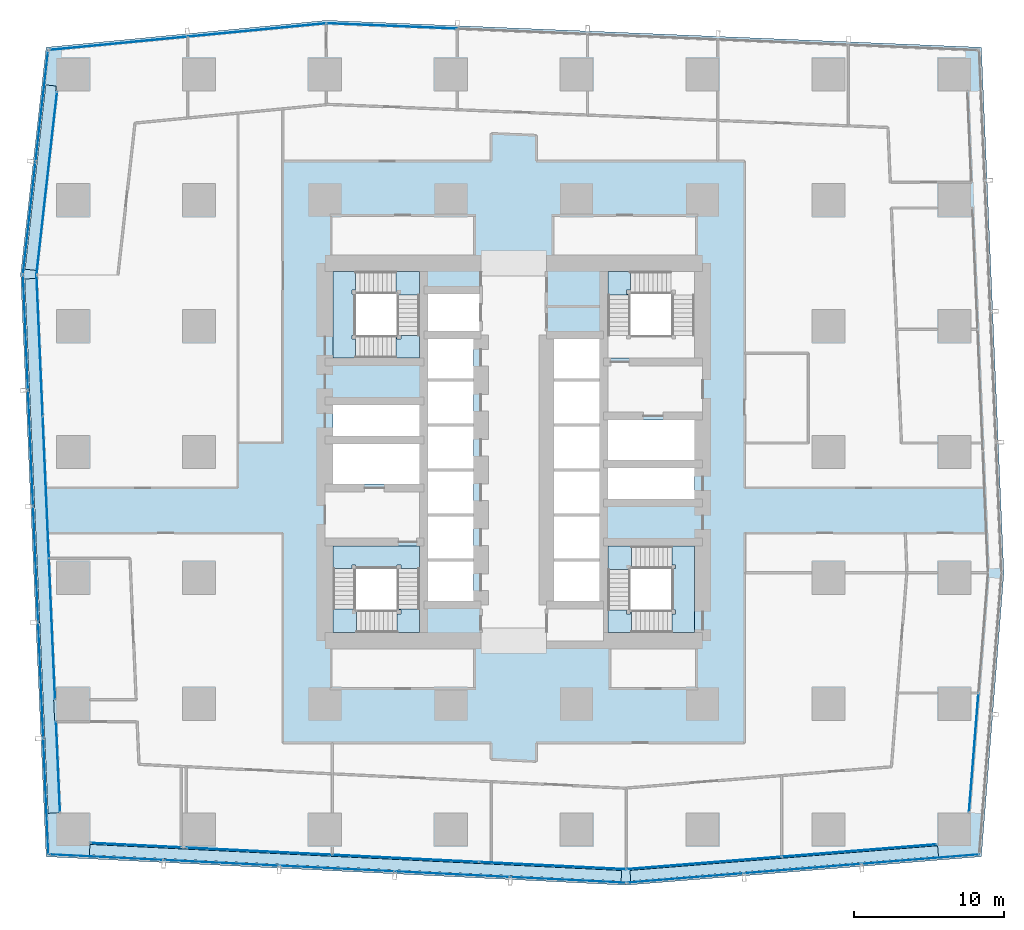
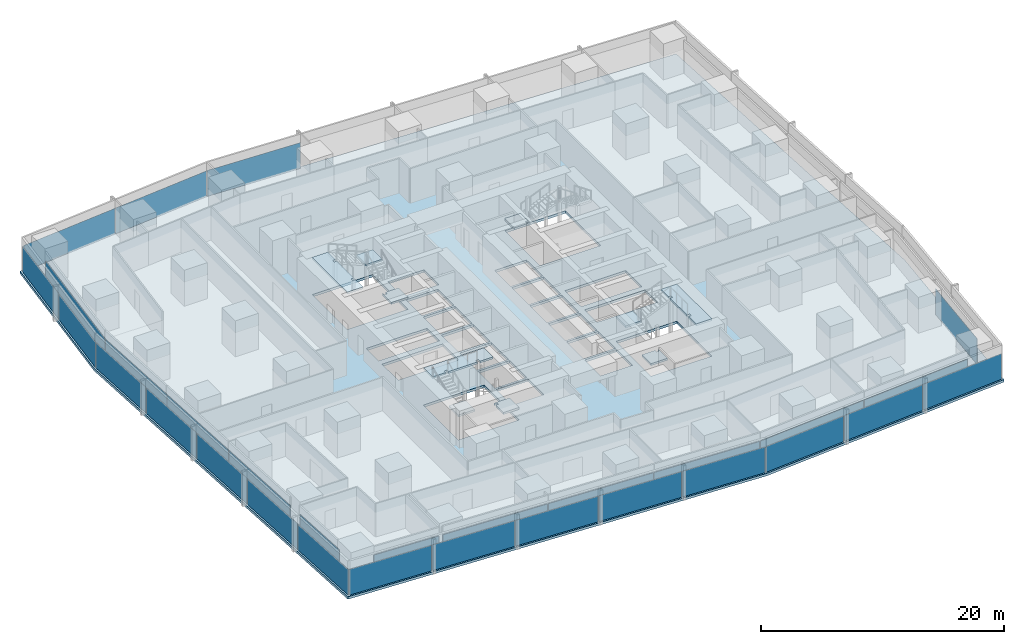
# One storey, part 30 of 44: 34 plates, 11 slabs, 17 elements without a shape of their own.
"""IFC4 building model written with IfcOpenShell, lengths in metres."""

import ifcopenshell
import ifcopenshell.guid

model = None  # the IFC model being written
_history = None  # IfcOwnerHistory: only IFC2X3 demands one
_inside = {}  # id of a spatial element -> (the spatial element, [elements in it])
_under = {}  # id of a project, library or spatial element -> (it, [spatial elements below it])
_declared = {}  # id of a project -> (the project, [libraries it declares])
_typed = {}  # id of a type object -> (the type object, [elements of that type])
_made_of = {}  # id of a material, layer set ... -> (it, [elements and type objects made of it])


def new_model(schema):
    """Start an empty IFC model of exactly this schema.

    Asked for "IFC4X3", IfcOpenShell would pick the latest addendum, in which some entities
    have other attributes; the version numbers below select the first issue.
    IFC2X3 requires an IfcOwnerHistory on every rooted entity: one is made here for all.
    """
    global model, _history
    if schema == "IFC4X3":
        model = ifcopenshell.file(schema_version=(4, 3, 0, 0))
    else:
        model = ifcopenshell.file(schema=schema)
    _inside.clear()
    _under.clear()
    _declared.clear()
    _typed.clear()
    _made_of.clear()
    _history = None
    if model.schema == "IFC2X3":
        org = make("IfcOrganization", Name="unknown")
        user = make(
            "IfcPersonAndOrganization",
            ThePerson=make("IfcPerson", FamilyName="unknown"),
            TheOrganization=org,
        )
        app = make(
            "IfcApplication",
            ApplicationDeveloper=org,
            Version="unknown",
            ApplicationFullName="unknown",
            ApplicationIdentifier="unknown",
        )
        _history = make(
            "IfcOwnerHistory",
            OwningUser=user,
            OwningApplication=app,
            ChangeAction="ADDED",
            CreationDate=0,
        )
    return model


def make(cls, **values):
    """One entity of the class cls with the attributes given. An attribute that is None is left unset."""
    return model.create_entity(
        cls, **{name: value for name, value in values.items() if value is not None}
    )


def rooted(cls, **values):
    """An entity with a GlobalId (a new one), such as an element, a storey or a relation."""
    return make(cls, GlobalId=ifcopenshell.guid.new(), OwnerHistory=_history, **values)


def si_unit(unit_type, name, prefix=None):
    """IfcSIUnit, for example si_unit("LENGTHUNIT", "METRE", prefix="MILLI")."""
    return make("IfcSIUnit", UnitType=unit_type, Prefix=prefix, Name=name)


def assignment(units):
    """IfcUnitAssignment: the units of a project."""
    return None if units is None else make("IfcUnitAssignment", Units=units)


def point(xyz):
    """IfcCartesianPoint."""
    return None if xyz is None else make("IfcCartesianPoint", Coordinates=xyz)


def direction(xyz):
    """IfcDirection."""
    return None if xyz is None else make("IfcDirection", DirectionRatios=xyz)


def frame(location, z_axis=None, x_axis=None):
    """IfcAxis2Placement3D, a coordinate frame: its origin and axes. An axis left out is left unset."""
    return make(
        "IfcAxis2Placement3D",
        Location=point(location),
        Axis=direction(z_axis),
        RefDirection=direction(x_axis),
    )


def frame_2d(location, x_axis=None):
    """IfcAxis2Placement2D, a coordinate frame in the plane: its origin and x axis."""
    return make(
        "IfcAxis2Placement2D", Location=point(location), RefDirection=direction(x_axis)
    )


def origin():
    """The frame at (0, 0, 0) with its axes left unset."""
    return frame((0.0, 0.0, 0.0))


def origin_2d():
    """The frame at (0, 0) in the plane with its x axis left unset."""
    return frame_2d((0.0, 0.0))


def place(relative_to, where):
    """IfcLocalPlacement: puts the frame where relative to a parent placement (None: the world)."""
    return make(
        "IfcLocalPlacement", PlacementRelTo=relative_to, RelativePlacement=where
    )


def context(
    kind, dimensions, precision=None, world=None, true_north=None, identifier=None
):
    """IfcGeometricRepresentationContext, for example the 3D "Model" context."""
    return make(
        "IfcGeometricRepresentationContext",
        ContextIdentifier=identifier,
        ContextType=kind,
        CoordinateSpaceDimension=dimensions,
        Precision=precision,
        WorldCoordinateSystem=world,
        TrueNorth=true_north,
    )


def subcontext(parent, identifier, kind, view, scale=None):
    """IfcGeometricRepresentationSubContext, for example "Body" below "Model"."""
    return make(
        "IfcGeometricRepresentationSubContext",
        ContextIdentifier=identifier,
        ContextType=kind,
        ParentContext=parent,
        TargetScale=scale,
        TargetView=view,
    )


def project(units=None, contexts=None):
    """IfcProject with its units and contexts."""
    return rooted(
        "IfcProject",
        Name="project",
        RepresentationContexts=contexts,
        UnitsInContext=assignment(units),
    )


def spatial(cls, under=None, at=None, **own):
    """A site, building, storey or space (cls), placed at a placement, below another one or the project."""
    s = rooted(cls, ObjectPlacement=at, **own)
    if under is not None:
        _under.setdefault(under.id(), (under, []))[1].append(s)
    return s


def polyline(points):
    """IfcPolyline through the points."""
    return make("IfcPolyline", Points=[point(p) for p in points])


def profile(cls, at=None, kind="AREA", **sizes):
    """A parametric profile (cls). Its sizes go by their IFC names, for example OverallWidth=200.0."""
    return make(cls, ProfileType=kind, Position=at, **sizes)


def rectangle(**sizes):
    """IfcRectangleProfileDef."""
    return profile("IfcRectangleProfileDef", **sizes)


def outline(outer, holes=None, kind="AREA"):
    """IfcArbitraryClosedProfileDef: a profile drawn as a closed curve; with holes, ...WithVoids."""
    if holes is None:
        return make("IfcArbitraryClosedProfileDef", ProfileType=kind, OuterCurve=outer)
    return make(
        "IfcArbitraryProfileDefWithVoids",
        ProfileType=kind,
        OuterCurve=outer,
        InnerCurves=holes,
    )


def extrude(swept, where, along, depth):
    """IfcExtrudedAreaSolid: the profile swept, set in the frame where, extruded along a direction by depth."""
    return make(
        "IfcExtrudedAreaSolid",
        SweptArea=swept,
        Position=where,
        ExtrudedDirection=direction(along),
        Depth=depth,
    )


def shape(context_of_items, identifier, shape_type, items):
    """IfcShapeRepresentation: the items that make up one representation, for example the "Body"."""
    return make(
        "IfcShapeRepresentation",
        ContextOfItems=context_of_items,
        RepresentationIdentifier=identifier,
        RepresentationType=shape_type,
        Items=items,
    )


def material(Name=None, Category=None):
    """IfcMaterial."""
    return make("IfcMaterial", Name=Name, Category=Category)


def layer(
    of_material, thickness, ventilated=None, Name=None, Category=None, Priority=None
):
    """IfcMaterialLayer: one layer of a wall or slab, of a material (None: an air gap)."""
    return make(
        "IfcMaterialLayer",
        Material=of_material,
        LayerThickness=thickness,
        IsVentilated=ventilated,
        Name=Name,
        Category=Category,
        Priority=Priority,
    )


def layer_set(layers, Name=None):
    """IfcMaterialLayerSet."""
    return make("IfcMaterialLayerSet", MaterialLayers=layers, LayerSetName=Name)


def made_of(thing, what):
    """Note that an element or type object is made of a material, layer set ...; save() writes the relation."""
    if what is not None:
        _made_of.setdefault(what.id(), (what, []))[1].append(thing)
    return thing


def type_object(cls, material=None, **own):
    """A type object (cls), such as IfcWallType, which elements share."""
    return made_of(rooted(cls, **own), material)


def element(
    cls,
    number,
    at=None,
    inside=None,
    cuts=None,
    type_object=None,
    material=None,
    context=None,
    identifier="Body",
    shape_type=None,
    held_by="IfcProductDefinitionShape",
    body=None,
    shapes=None,
    **own,
):
    """One element of the class cls, such as IfcWall. Its Tag is "e" and its number.

    at: its placement. inside: the storey or other place that contains it. cuts: it is an
    opening in that element (IfcRelVoidsElement). A single representation is given by context,
    identifier, shape_type and body (its items); several are given by shapes. held_by: the class
    of the entity that holds the representations. save() writes the other relations.
    """
    e = rooted(cls, Tag="e%d" % number, ObjectPlacement=at, **own)
    if body is not None:
        shapes = [shape(context, identifier, shape_type, body)]
    if shapes is not None:
        e.Representation = make(held_by, Representations=shapes)
    if inside is not None:
        _inside.setdefault(inside.id(), (inside, []))[1].append(e)
    if cuts is not None:
        rooted(
            "IfcRelVoidsElement", RelatingBuildingElement=cuts, RelatedOpeningElement=e
        )
    if type_object is not None:
        _typed.setdefault(type_object.id(), (type_object, []))[1].append(e)
    return made_of(e, material)


def aggregate(whole, parts):
    """IfcRelAggregates: a whole, such as a stair, and the parts it consists of."""
    return rooted("IfcRelAggregates", RelatingObject=whole, RelatedObjects=parts)


def save(model, path):
    """Write the relations noted so far, then the file.

    IfcRelAggregates (storeys below a building ...), IfcRelContainedInSpatialStructure (elements
    in a storey), IfcRelDefinesByType, IfcRelAssociatesMaterial and IfcRelDeclares: one each for
    every whole, place, type object, material and project.
    """
    for whole, parts in _under.values():
        aggregate(whole, parts)
    for where, things in _inside.values():
        rooted(
            "IfcRelContainedInSpatialStructure",
            RelatedElements=things,
            RelatingStructure=where,
        )
    for kind, things in _typed.values():
        rooted("IfcRelDefinesByType", RelatedObjects=things, RelatingType=kind)
    for what, things in _made_of.values():
        rooted("IfcRelAssociatesMaterial", RelatedObjects=things, RelatingMaterial=what)
    for by, libraries in _declared.values():
        rooted("IfcRelDeclares", RelatingContext=by, RelatedDefinitions=libraries)
    model.write(path)


model = new_model("IFC4")

# Units and contexts
model_context = context("Model", 3, precision=1e-05, world=origin(), true_north=direction((0.0, 1.0)))
body_context = subcontext(model_context, "Body", "Model", "MODEL_VIEW")
ifc_project = project(units=[si_unit("LENGTHUNIT", "METRE"), si_unit("AREAUNIT", "SQUARE_METRE"), si_unit("VOLUMEUNIT", "CUBIC_METRE"), si_unit("PLANEANGLEUNIT", "RADIAN"), si_unit("MASSUNIT", "GRAM", prefix="KILO")], contexts=[model_context])

# Site, building, storey
site_placement = place(None, origin())
site = spatial("IfcSite", under=ifc_project, at=site_placement, CompositionType="ELEMENT")
building_placement = place(site_placement, origin())
building = spatial("IfcBuilding", under=site, at=building_placement, Name="Rekha Terrace Tower", CompositionType="ELEMENT")
storey_placement = place(building_placement, frame((0.0, 0.0, 74.14990234375)))
storey = spatial("IfcBuildingStorey", under=building, at=storey_placement, Name="L18", CompositionType="ELEMENT", Elevation=74.14990234375)

# Curtain wall, plate
ifc_material_1 = material(Name="Aluminium framing", Category="aluminium")
curtain_wall_type_1 = type_object("IfcCurtainWallType", Name="CW1 double skin inner glazing", PredefinedType="USERDEFINED", material=ifc_material_1)
curtain_wall_1_placement = place(storey_placement, origin())
curtain_wall_1 = element("IfcCurtainWall", 1, at=curtain_wall_1_placement, inside=storey, type_object=curtain_wall_type_1, Name="CW1 double skin inner glazing", ObjectType="DOUBLE SKIN INNER GLAZING", PredefinedType="USERDEFINED")
ifc_material_2 = material(Name="Double-glazed low-e unit 32", Category="glass")
ifc_layer_1 = layer(ifc_material_2, 0.031982421875)
ifc_layer_set_1 = layer_set([ifc_layer_1], Name="Double-glazed low-e unit 32")
plate_type_1 = type_object("IfcPlateType", Name="CW1 jumbo vision panel, double-glazed low-e unit 32", PredefinedType="CURTAIN_PANEL", material=ifc_layer_set_1)
plate_1_placement = place(storey_placement, frame((12.60009765625, 7.36669921875, 0.0), z_axis=(0.0, 0.0, 1.0), x_axis=(0.998796239977, -0.049051717693, 0.0)))
plate_1 = element("IfcPlate", 2, at=plate_1_placement, type_object=plate_type_1, Name="CW1 panel 1.1", PredefinedType="CURTAIN_PANEL", context=body_context, shape_type="SweptSolid", body=[
    extrude(rectangle(XDim=6.028076171875, YDim=0.031982421875, at=origin_2d()), origin(), (0.0, 0.0, 1.0), 2.60009765625),
])
aggregate(curtain_wall_1, [plate_1])

# Curtain wall, plates
curtain_wall_2_placement = place(storey_placement, origin())
curtain_wall_2 = element("IfcCurtainWall", 3, at=curtain_wall_2_placement, inside=storey, type_object=curtain_wall_type_1, Name="CW1 double skin inner glazing", ObjectType="DOUBLE SKIN INNER GLAZING", PredefinedType="USERDEFINED")
plate_2_placement = place(storey_placement, frame((20.818603515625, 6.962890625, 0.0), z_axis=(0.0, 0.0, 1.0), x_axis=(0.998796239974, -0.049051717746, 0.0)))
plate_2 = element("IfcPlate", 4, at=plate_2_placement, type_object=plate_type_1, Name="CW1 panel 1.1", PredefinedType="CURTAIN_PANEL", context=body_context, shape_type="SweptSolid", body=[
    extrude(rectangle(XDim=9.701904296875, YDim=0.031982421875, at=origin_2d()), origin(), (0.0, 0.0, 1.0), 2.60009765625),
])
plate_3_placement = place(storey_placement, frame((30.590087890625, 6.483154296875, 0.0), z_axis=(0.0, 0.0, 1.0), x_axis=(0.998796239974, -0.049051717746, 0.0)))
plate_3 = element("IfcPlate", 5, at=plate_3_placement, type_object=plate_type_1, Name="CW1 panel 2.1", PredefinedType="CURTAIN_PANEL", context=body_context, shape_type="SweptSolid", body=[
    extrude(rectangle(XDim=9.734619140625, YDim=0.031982421875, at=origin_2d()), origin(), (0.0, 0.0, 1.0), 2.60009765625),
])
plate_4_placement = place(storey_placement, frame((40.39404296875, 6.001708984375, 0.0), z_axis=(0.0, 0.0, 1.0), x_axis=(0.998796239974, -0.049051717746, 0.0)))
plate_4 = element("IfcPlate", 6, at=plate_4_placement, type_object=plate_type_1, Name="CW1 panel 3.1", PredefinedType="CURTAIN_PANEL", context=body_context, shape_type="SweptSolid", body=[
    extrude(rectangle(XDim=9.76708984375, YDim=0.031982421875, at=origin_2d()), origin(), (0.0, 0.0, 1.0), 2.60009765625),
])
aggregate(curtain_wall_2, [plate_2, plate_3, plate_4])

curtain_wall_3_placement = place(storey_placement, origin())
curtain_wall_3 = element("IfcCurtainWall", 7, at=curtain_wall_3_placement, inside=storey, type_object=curtain_wall_type_1, Name="CW1 double skin inner glazing", ObjectType="DOUBLE SKIN INNER GLAZING", PredefinedType="USERDEFINED")
plate_5_placement = place(storey_placement, frame((50.488037109375, 6.18017578125, 0.0), z_axis=(0.0, 0.0, 1.0), x_axis=(0.996805111821, 0.079872204468, 0.0)))
plate_5 = element("IfcPlate", 8, at=plate_5_placement, type_object=plate_type_1, Name="CW1 panel 1.1", PredefinedType="CURTAIN_PANEL", context=body_context, shape_type="SweptSolid", body=[
    extrude(rectangle(XDim=10.336181640625, YDim=0.031982421875, at=origin_2d()), origin(), (0.0, 0.0, 1.0), 2.60009765625),
])
plate_6_placement = place(storey_placement, frame((60.85595703125, 7.0107421875, 0.0), z_axis=(0.0, 0.0, 1.0), x_axis=(0.996805111821, 0.079872204468, 0.0)))
plate_6 = element("IfcPlate", 9, at=plate_6_placement, type_object=plate_type_1, Name="CW1 panel 2.1", PredefinedType="CURTAIN_PANEL", context=body_context, shape_type="SweptSolid", body=[
    extrude(rectangle(XDim=10.336181640625, YDim=0.031982421875, at=origin_2d()), origin(), (0.0, 0.0, 1.0), 2.60009765625),
])
aggregate(curtain_wall_3, [plate_5, plate_6])

# Curtain wall, plate
curtain_wall_4_placement = place(storey_placement, origin())
curtain_wall_4 = element("IfcCurtainWall", 10, at=curtain_wall_4_placement, inside=storey, type_object=curtain_wall_type_1, Name="CW1 double skin inner glazing", ObjectType="DOUBLE SKIN INNER GLAZING", PredefinedType="USERDEFINED")
plate_7_placement = place(storey_placement, frame((68.487548828125, 13.541748046875, 0.0), z_axis=(0.0, 0.0, 1.0), x_axis=(0.079116301, 0.996865392576, 0.0)))
plate_7 = element("IfcPlate", 11, at=plate_7_placement, type_object=plate_type_1, Name="CW1 panel 1.1", PredefinedType="CURTAIN_PANEL", context=body_context, shape_type="SweptSolid", body=[
    extrude(rectangle(XDim=7.923583984375, YDim=0.031982421875, at=origin_2d()), origin(), (0.0, 0.0, 1.0), 2.60009765625),
])
aggregate(curtain_wall_4, [plate_7])

curtain_wall_5_placement = place(storey_placement, origin())
curtain_wall_5 = element("IfcCurtainWall", 12, at=curtain_wall_5_placement, inside=storey, type_object=curtain_wall_type_1, Name="CW1 double skin inner glazing", ObjectType="DOUBLE SKIN INNER GLAZING", PredefinedType="USERDEFINED")
plate_8_placement = place(storey_placement, frame((6.646728515625, 51.52734375, 0.0), z_axis=(0.0, 0.0, 1.0), x_axis=(-0.111729870748, -0.993738615524, 0.0)))
plate_8 = element("IfcPlate", 13, at=plate_8_placement, type_object=plate_type_1, Name="CW1 panel 1.1", PredefinedType="CURTAIN_PANEL", context=body_context, shape_type="SweptSolid", body=[
    extrude(rectangle(XDim=12.243896484375, YDim=0.031982421875, at=origin_2d()), origin(), (0.0, 0.0, 1.0), 2.60009765625),
])
aggregate(curtain_wall_5, [plate_8])

# Curtain wall, plates
curtain_wall_6_placement = place(storey_placement, origin())
curtain_wall_6 = element("IfcCurtainWall", 14, at=curtain_wall_6_placement, inside=storey, type_object=curtain_wall_type_1, Name="CW1 double skin inner glazing", ObjectType="DOUBLE SKIN INNER GLAZING", PredefinedType="USERDEFINED")
plate_9_placement = place(storey_placement, frame((6.170166015625, 40.69482421875, 0.0), z_axis=(0.0, 0.0, 1.0), x_axis=(0.043682543337, -0.999045462133, 0.0)))
plate_9 = element("IfcPlate", 15, at=plate_9_placement, type_object=plate_type_1, Name="CW1 panel 1.1", PredefinedType="CURTAIN_PANEL", context=body_context, shape_type="SweptSolid", body=[
    extrude(rectangle(XDim=9.376953125, YDim=0.031982421875, at=origin_2d()), origin(), (0.0, 0.0, 1.0), 2.60009765625),
])
plate_10_placement = place(storey_placement, frame((6.58349609375, 31.245361328125, 0.0), z_axis=(0.0, 0.0, 1.0), x_axis=(0.043682543337, -0.999045462133, 0.0)))
plate_10 = element("IfcPlate", 16, at=plate_10_placement, type_object=plate_type_1, Name="CW1 panel 2.1", PredefinedType="CURTAIN_PANEL", context=body_context, shape_type="SweptSolid", body=[
    extrude(rectangle(XDim=9.40966796875, YDim=0.031982421875, at=origin_2d()), origin(), (0.0, 0.0, 1.0), 2.60009765625),
])
plate_11_placement = place(storey_placement, frame((6.99658203125, 21.796142578125, 0.0), z_axis=(0.0, 0.0, 1.0), x_axis=(0.043682543337, -0.999045462133, 0.0)))
plate_11 = element("IfcPlate", 17, at=plate_11_placement, type_object=plate_type_1, Name="CW1 panel 3.1", PredefinedType="CURTAIN_PANEL", context=body_context, shape_type="SweptSolid", body=[
    extrude(rectangle(XDim=9.376953125, YDim=0.031982421875, at=origin_2d()), origin(), (0.0, 0.0, 1.0), 2.60009765625),
])
aggregate(curtain_wall_6, [plate_9, plate_10, plate_11])

# Curtain wall, plate
curtain_wall_7_placement = place(storey_placement, origin())
curtain_wall_7 = element("IfcCurtainWall", 18, at=curtain_wall_7_placement, inside=storey, type_object=curtain_wall_type_1, Name="CW1 double skin inner glazing", ObjectType="DOUBLE SKIN INNER GLAZING", PredefinedType="USERDEFINED")
plate_12_placement = place(storey_placement, frame((7.398681640625, 12.60009765625, 0.0), z_axis=(0.0, 0.0, 1.0), x_axis=(0.043682543424, -0.999045462129, 0.0)))
plate_12 = element("IfcPlate", 19, at=plate_12_placement, type_object=plate_type_1, Name="CW1 panel 1.1", PredefinedType="CURTAIN_PANEL", context=body_context, shape_type="SweptSolid", body=[
    extrude(rectangle(XDim=6.027587890625, YDim=0.031982421875, at=origin_2d()), origin(), (0.0, 0.0, 1.0), 2.60009765625),
])
aggregate(curtain_wall_7, [plate_12])

# Curtain wall, plates
curtain_wall_type_2 = type_object("IfcCurtainWallType", Name="CW2 double skin outer glazing", PredefinedType="USERDEFINED", material=ifc_material_1)
curtain_wall_8_placement = place(storey_placement, origin())
curtain_wall_8 = element("IfcCurtainWall", 20, at=curtain_wall_8_placement, inside=storey, type_object=curtain_wall_type_2, Name="CW2 double skin outer glazing", ObjectType="DOUBLE SKIN OUTER GLAZING", PredefinedType="USERDEFINED")
ifc_material_3 = material(Name="Toughened single glazing 12", Category="glass")
ifc_layer_2 = layer(ifc_material_3, 0.011962890625)
ifc_layer_set_2 = layer_set([ifc_layer_2], Name="Toughened single glazing 12")
plate_type_2 = type_object("IfcPlateType", Name="CW2 jumbo vision panel, toughened single glazing 12", PredefinedType="CURTAIN_PANEL", material=ifc_layer_set_2)
plate_13_placement = place(storey_placement, frame((10.626708984375, 6.5625, 0.0), z_axis=(0.0, 0.0, 1.0), x_axis=(0.998796239974, -0.049051717746, 0.0)))
plate_13 = element("IfcPlate", 21, at=plate_13_placement, type_object=plate_type_2, Name="CW2 panel 1.1", PredefinedType="CURTAIN_PANEL", context=body_context, shape_type="SweptSolid", body=[
    extrude(rectangle(XDim=7.595703125, YDim=0.011962890625, at=origin_2d()), origin(), (0.0, 0.0, 1.0), 2.60009765625),
])
plate_14_placement = place(storey_placement, frame((18.31298828125, 6.18505859375, 0.0), z_axis=(0.0, 0.0, 1.0), x_axis=(0.998796239974, -0.049051717746, 0.0)))
plate_14 = element("IfcPlate", 22, at=plate_14_placement, type_object=plate_type_2, Name="CW2 panel 2.1", PredefinedType="CURTAIN_PANEL", context=body_context, shape_type="SweptSolid", body=[
    extrude(rectangle(XDim=7.6357421875, YDim=0.011962890625, at=origin_2d()), origin(), (0.0, 0.0, 1.0), 2.60009765625),
])
plate_15_placement = place(storey_placement, frame((26.01953125, 5.806396484375, 0.0), z_axis=(0.0, 0.0, 1.0), x_axis=(0.998796239974, -0.049051717746, 0.0)))
plate_15 = element("IfcPlate", 23, at=plate_15_placement, type_object=plate_type_2, Name="CW2 panel 3.1", PredefinedType="CURTAIN_PANEL", context=body_context, shape_type="SweptSolid", body=[
    extrude(rectangle(XDim=7.6357421875, YDim=0.011962890625, at=origin_2d()), origin(), (0.0, 0.0, 1.0), 2.60009765625),
])
plate_16_placement = place(storey_placement, frame((33.725830078125, 5.427978515625, 0.0), z_axis=(0.0, 0.0, 1.0), x_axis=(0.998796239974, -0.049051717746, 0.0)))
plate_16 = element("IfcPlate", 24, at=plate_16_placement, type_object=plate_type_2, Name="CW2 panel 4.1", PredefinedType="CURTAIN_PANEL", context=body_context, shape_type="SweptSolid", body=[
    extrude(rectangle(XDim=7.6357421875, YDim=0.011962890625, at=origin_2d()), origin(), (0.0, 0.0, 1.0), 2.60009765625),
])
plate_17_placement = place(storey_placement, frame((41.452392578125, 5.048583984375, 0.0), z_axis=(0.0, 0.0, 1.0), x_axis=(0.998796239974, -0.049051717746, 0.0)))
plate_17 = element("IfcPlate", 25, at=plate_17_placement, type_object=plate_type_2, Name="CW2 panel 5.1", PredefinedType="CURTAIN_PANEL", context=body_context, shape_type="SweptSolid", body=[
    extrude(rectangle(XDim=7.67578125, YDim=0.011962890625, at=origin_2d()), origin(), (0.0, 0.0, 1.0), 2.60009765625),
])
aggregate(curtain_wall_8, [plate_13, plate_14, plate_15, plate_16, plate_17])

curtain_wall_9_placement = place(storey_placement, origin())
curtain_wall_9 = element("IfcCurtainWall", 26, at=curtain_wall_9_placement, inside=storey, type_object=curtain_wall_type_2, Name="CW2 double skin outer glazing", ObjectType="DOUBLE SKIN OUTER GLAZING", PredefinedType="USERDEFINED")
plate_18_placement = place(storey_placement, frame((49.233154296875, 5.176513671875, 0.0), z_axis=(0.0, 0.0, 1.0), x_axis=(0.996805111821, 0.079872204468, 0.0)))
plate_18 = element("IfcPlate", 27, at=plate_18_placement, type_object=plate_type_2, Name="CW2 panel 1.1", PredefinedType="CURTAIN_PANEL", context=body_context, shape_type="SweptSolid", body=[
    extrude(rectangle(XDim=7.760498046875, YDim=0.011962890625, at=origin_2d()), origin(), (0.0, 0.0, 1.0), 2.60009765625),
])
plate_19_placement = place(storey_placement, frame((57.068359375, 5.804443359375, 0.0), z_axis=(0.0, 0.0, 1.0), x_axis=(0.996805111821, 0.079872204468, 0.0)))
plate_19 = element("IfcPlate", 28, at=plate_19_placement, type_object=plate_type_2, Name="CW2 panel 2.1", PredefinedType="CURTAIN_PANEL", context=body_context, shape_type="SweptSolid", body=[
    extrude(rectangle(XDim=7.800537109375, YDim=0.011962890625, at=origin_2d()), origin(), (0.0, 0.0, 1.0), 2.60009765625),
])
plate_20_placement = place(storey_placement, frame((64.943603515625, 6.435546875, 0.0), z_axis=(0.0, 0.0, 1.0), x_axis=(0.996805111821, 0.079872204468, 0.0)))
plate_20 = element("IfcPlate", 29, at=plate_20_placement, type_object=plate_type_2, Name="CW2 panel 3.1", PredefinedType="CURTAIN_PANEL", context=body_context, shape_type="SweptSolid", body=[
    extrude(rectangle(XDim=7.84033203125, YDim=0.011962890625, at=origin_2d()), origin(), (0.0, 0.0, 1.0), 2.60009765625),
])
aggregate(curtain_wall_9, [plate_18, plate_19, plate_20])

curtain_wall_10_placement = place(storey_placement, origin())
curtain_wall_10 = element("IfcCurtainWall", 30, at=curtain_wall_10_placement, inside=storey, type_object=curtain_wall_type_2, Name="CW2 double skin outer glazing", ObjectType="DOUBLE SKIN OUTER GLAZING", PredefinedType="USERDEFINED")
plate_21_placement = place(storey_placement, frame((6.3212890625, 56.688720703125, 0.0), z_axis=(0.0, 0.0, 1.0), x_axis=(-0.111729870782, -0.99373861552, 0.0)))
plate_21 = element("IfcPlate", 31, at=plate_21_placement, type_object=plate_type_2, Name="CW2 panel 1.1", PredefinedType="CURTAIN_PANEL", context=body_context, shape_type="SweptSolid", body=[
    extrude(rectangle(XDim=7.41650390625, YDim=0.011962890625, at=origin_2d()), origin(), (0.0, 0.0, 1.0), 2.60009765625),
])
plate_22_placement = place(storey_placement, frame((5.479248046875, 49.19921875, 0.0), z_axis=(0.0, 0.0, 1.0), x_axis=(-0.111729870782, -0.99373861552, 0.0)))
plate_22 = element("IfcPlate", 32, at=plate_22_placement, type_object=plate_type_2, Name="CW2 panel 2.1", PredefinedType="CURTAIN_PANEL", context=body_context, shape_type="SweptSolid", body=[
    extrude(rectangle(XDim=7.49658203125, YDim=0.011962890625, at=origin_2d()), origin(), (0.0, 0.0, 1.0), 2.60009765625),
])
aggregate(curtain_wall_10, [plate_21, plate_22])

curtain_wall_11_placement = place(storey_placement, origin())
curtain_wall_11 = element("IfcCurtainWall", 33, at=curtain_wall_11_placement, inside=storey, type_object=curtain_wall_type_2, Name="CW2 double skin outer glazing", ObjectType="DOUBLE SKIN OUTER GLAZING", PredefinedType="USERDEFINED")
plate_23_placement = place(storey_placement, frame((5.23046875, 41.582275390625, 0.0), z_axis=(0.0, 0.0, 1.0), x_axis=(0.043682543372, -0.999045462131, 0.0)))
plate_23 = element("IfcPlate", 34, at=plate_23_placement, type_object=plate_type_2, Name="CW2 panel 1.1", PredefinedType="CURTAIN_PANEL", context=body_context, shape_type="SweptSolid", body=[
    extrude(rectangle(XDim=7.6318359375, YDim=0.011962890625, at=origin_2d()), origin(), (0.0, 0.0, 1.0), 2.60009765625),
])
plate_24_placement = place(storey_placement, frame((5.568359375, 33.85791015625, 0.0), z_axis=(0.0, 0.0, 1.0), x_axis=(0.043682543372, -0.999045462131, 0.0)))
plate_24 = element("IfcPlate", 35, at=plate_24_placement, type_object=plate_type_2, Name="CW2 panel 2.1", PredefinedType="CURTAIN_PANEL", context=body_context, shape_type="SweptSolid", body=[
    extrude(rectangle(XDim=7.671875, YDim=0.011962890625, at=origin_2d()), origin(), (0.0, 0.0, 1.0), 2.60009765625),
])
plate_25_placement = place(storey_placement, frame((5.906982421875, 26.113525390625, 0.0), z_axis=(0.0, 0.0, 1.0), x_axis=(0.043682543372, -0.999045462131, 0.0)))
plate_25 = element("IfcPlate", 36, at=plate_25_placement, type_object=plate_type_2, Name="CW2 panel 3.1", PredefinedType="CURTAIN_PANEL", context=body_context, shape_type="SweptSolid", body=[
    extrude(rectangle(XDim=7.671875, YDim=0.011962890625, at=origin_2d()), origin(), (0.0, 0.0, 1.0), 2.60009765625),
])
plate_26_placement = place(storey_placement, frame((6.24560546875, 18.369140625, 0.0), z_axis=(0.0, 0.0, 1.0), x_axis=(0.043682543372, -0.999045462131, 0.0)))
plate_26 = element("IfcPlate", 37, at=plate_26_placement, type_object=plate_type_2, Name="CW2 panel 4.1", PredefinedType="CURTAIN_PANEL", context=body_context, shape_type="SweptSolid", body=[
    extrude(rectangle(XDim=7.671875, YDim=0.011962890625, at=origin_2d()), origin(), (0.0, 0.0, 1.0), 2.60009765625),
])
plate_27_placement = place(storey_placement, frame((6.5849609375, 10.60498046875, 0.0), z_axis=(0.0, 0.0, 1.0), x_axis=(0.043682543372, -0.999045462131, 0.0)))
plate_27 = element("IfcPlate", 38, at=plate_27_placement, type_object=plate_type_2, Name="CW2 panel 5.1", PredefinedType="CURTAIN_PANEL", context=body_context, shape_type="SweptSolid", body=[
    extrude(rectangle(XDim=7.711669921875, YDim=0.011962890625, at=origin_2d()), origin(), (0.0, 0.0, 1.0), 2.60009765625),
])
aggregate(curtain_wall_11, [plate_23, plate_24, plate_25, plate_26, plate_27])

# Curtain wall, plate
curtain_wall_type_3 = type_object("IfcCurtainWallType", Name="CW3 north unitised glazing", PredefinedType="USERDEFINED", material=ifc_material_1)
curtain_wall_12_placement = place(storey_placement, origin())
curtain_wall_12 = element("IfcCurtainWall", 39, at=curtain_wall_12_placement, inside=storey, type_object=curtain_wall_type_3, Name="CW3 unitised curtain wall", ObjectType="UNITISED CURTAIN WALL", PredefinedType="USERDEFINED")
ifc_material_4 = material(Name="Double-glazed unit 28", Category="glass")
ifc_layer_3 = layer(ifc_material_4, 0.028076171875)
ifc_layer_set_3 = layer_set([ifc_layer_3], Name="Double-glazed unit 28")
plate_type_3 = type_object("IfcPlateType", Name="CW3 jumbo vision panel, double-glazed unit 28", PredefinedType="CURTAIN_PANEL", material=ifc_layer_set_3)
plate_28_placement = place(storey_placement, frame((29.65625, 62.021240234375, 0.0), z_axis=(0.0, 0.0, 1.0), x_axis=(-0.999151997647, 0.041173846041, 0.0)))
plate_28 = element("IfcPlate", 40, at=plate_28_placement, type_object=plate_type_3, Name="CW3 panel 5.1", PredefinedType="CURTAIN_PANEL", context=body_context, shape_type="SweptSolid", body=[
    extrude(rectangle(XDim=8.6689453125, YDim=0.028076171875, at=origin_2d()), origin(), (0.0, 0.0, 1.0), 2.60009765625),
])
aggregate(curtain_wall_12, [plate_28])

# Curtain wall, plates
curtain_wall_13_placement = place(storey_placement, origin())
curtain_wall_13 = element("IfcCurtainWall", 41, at=curtain_wall_13_placement, inside=storey, type_object=curtain_wall_type_3, Name="CW3 unitised curtain wall", ObjectType="UNITISED CURTAIN WALL", PredefinedType="USERDEFINED")
plate_29_placement = place(storey_placement, frame((20.671875, 61.752197265625, 0.0), z_axis=(0.0, 0.0, 1.0), x_axis=(-0.995409029102, -0.095712406625, 0.0)))
plate_29 = element("IfcPlate", 42, at=plate_29_placement, type_object=plate_type_3, Name="CW3 panel 1.1", PredefinedType="CURTAIN_PANEL", context=body_context, shape_type="SweptSolid", body=[
    extrude(rectangle(XDim=9.210205078125, YDim=0.028076171875, at=origin_2d()), origin(), (0.0, 0.0, 1.0), 2.60009765625),
])
plate_30_placement = place(storey_placement, frame((11.434326171875, 60.864013671875, 0.0), z_axis=(0.0, 0.0, 1.0), x_axis=(-0.995409029102, -0.095712406625, 0.0)))
plate_30 = element("IfcPlate", 43, at=plate_30_placement, type_object=plate_type_3, Name="CW3 panel 2.1", PredefinedType="CURTAIN_PANEL", context=body_context, shape_type="SweptSolid", body=[
    extrude(rectangle(XDim=9.210205078125, YDim=0.028076171875, at=origin_2d()), origin(), (0.0, 0.0, 1.0), 2.60009765625),
])
aggregate(curtain_wall_13, [plate_29, plate_30])

# Plates
ifc_material_5 = material(Name="Galvanised steel open grating", Category="steel")
ifc_layer_4 = layer(ifc_material_5, 0.050048828125)
ifc_layer_set_4 = layer_set([ifc_layer_4], Name="Galvanised steel open grating")
plate_type_4 = type_object("IfcPlateType", Name="GT1 cavity walkway grating 50", PredefinedType="USERDEFINED", material=ifc_layer_set_4)
plate_31_placement = place(storey_placement, frame((27.24365234375, 6.197021484375, 0.0), z_axis=(0.0, 0.0, 1.0), x_axis=(0.998796239974, -0.049051717746, 0.0)))
element("IfcPlate", 44, at=plate_31_placement, inside=storey, type_object=plate_type_4, Name="Cavity walkway grating", ObjectType="CAVITY WALKWAY GRATING", PredefinedType="USERDEFINED", context=body_context, shape_type="SweptSolid", body=[
    extrude(rectangle(XDim=35.512939453125, YDim=0.705078125, at=origin_2d()), origin(), (0.0, 0.0, 1.0), 0.050048828125),
])
plate_32_placement = place(storey_placement, frame((55.841552734375, 6.15771484375, 0.0), z_axis=(0.0, 0.0, 1.0), x_axis=(0.996805111821, 0.079872204468, 0.0)))
element("IfcPlate", 45, at=plate_32_placement, inside=storey, type_object=plate_type_4, Name="Cavity walkway grating", ObjectType="CAVITY WALKWAY GRATING", PredefinedType="USERDEFINED", context=body_context, shape_type="SweptSolid", body=[
    extrude(rectangle(XDim=20.59375, YDim=0.705078125, at=origin_2d()), origin(), (0.0, 0.0, 1.0), 0.050048828125),
])
plate_33_placement = place(storey_placement, frame((6.236328125, 51.90576171875, 0.0), z_axis=(0.0, 0.0, 1.0), x_axis=(-0.1117298708, -0.993738615518, 0.0)))
element("IfcPlate", 46, at=plate_33_placement, inside=storey, type_object=plate_type_4, Name="Cavity walkway grating", ObjectType="CAVITY WALKWAY GRATING", PredefinedType="USERDEFINED", context=body_context, shape_type="SweptSolid", body=[
    extrude(rectangle(XDim=12.374267578125, YDim=0.705078125, at=origin_2d()), origin(), (0.0, 0.0, 1.0), 0.050048828125),
])
plate_34_placement = place(storey_placement, frame((6.303955078125, 27.3349609375, 0.0), z_axis=(0.0, 0.0, 1.0), x_axis=(0.043682543355, -0.999045462132, 0.0)))
element("IfcPlate", 47, at=plate_34_placement, inside=storey, type_object=plate_type_4, Name="Cavity walkway grating", ObjectType="CAVITY WALKWAY GRATING", PredefinedType="USERDEFINED", context=body_context, shape_type="SweptSolid", body=[
    extrude(rectangle(XDim=35.682861328125, YDim=0.705078125, at=origin_2d()), origin(), (0.0, 0.0, 1.0), 0.050048828125),
])

# Stair, slabs
ifc_material_6 = material(Name="Concrete M40", Category="concrete")
stair_type = type_object("IfcStairType", Name="ST30 stair, 30 risers of 125, going 300, 1500 wide flights, 3 flights", PredefinedType="HALF_TURN_STAIR", material=ifc_material_6)
stair_1_placement = place(storey_placement, origin())
stair_1 = element("IfcStair", 48, at=stair_1_placement, inside=storey, type_object=stair_type, Name="Stair ST1 L18 to L19", PredefinedType="HALF_TURN_STAIR")
ifc_layer_5 = layer(ifc_material_6, 0.199951171875)
ifc_layer_set_5 = layer_set([ifc_layer_5], Name="Concrete M40")
slab_type_1 = type_object("IfcSlabType", Name="LD1 200 concrete stair landing", PredefinedType="LANDING", material=ifc_layer_set_5)
slab_1_placement = place(storey_placement, frame((0.0, 0.0, 1.050048828125)))
slab_1 = element("IfcSlab", 49, at=slab_1_placement, type_object=slab_type_1, Name="ST1 landing 1", PredefinedType="LANDING", context=body_context, shape_type="SweptSolid", body=[
    extrude(outline(polyline([(30.02490234375, 21.550048828125), (31.52490234375, 21.550048828125), (31.52490234375, 23.125), (30.02490234375, 23.125), (30.02490234375, 23.050048828125), (30.27490234375, 23.050048828125), (30.27490234375, 22.800048828125), (30.02490234375, 22.800048828125), (30.02490234375, 21.550048828125)])), origin(), (0.0, 0.0, 1.0), 0.199951171875),
])
slab_2_placement = place(storey_placement, frame((0.0, 0.0, 2.300048828125)))
slab_2 = element("IfcSlab", 50, at=slab_2_placement, type_object=slab_type_1, Name="ST1 landing 2", PredefinedType="LANDING", context=body_context, shape_type="SweptSolid", body=[
    extrude(outline(polyline([(27.25, 23.125), (25.75, 23.125), (25.75, 21.550048828125), (27.324951171875, 21.550048828125), (27.324951171875, 23.050048828125), (27.25, 23.050048828125), (27.25, 23.125)])), origin(), (0.0, 0.0, 1.0), 0.199951171875),
])
slab_3_placement = place(storey_placement, frame((0.0, 0.0, 3.550048828125)))
slab_3 = element("IfcSlab", 51, at=slab_3_placement, type_object=slab_type_1, Name="ST1 landing 3", PredefinedType="LANDING", context=body_context, shape_type="SweptSolid", body=[
    extrude(outline(polyline([(31.52490234375, 25.824951171875), (31.52490234375, 27.324951171875), (25.75, 27.324951171875), (25.75, 25.824951171875), (27.0, 25.824951171875), (27.0, 26.074951171875), (27.25, 26.074951171875), (27.25, 25.824951171875), (30.02490234375, 25.824951171875), (30.02490234375, 26.074951171875), (30.27490234375, 26.074951171875), (30.27490234375, 25.824951171875), (31.52490234375, 25.824951171875)])), origin(), (0.0, 0.0, 1.0), 0.199951171875),
])
aggregate(stair_1, [slab_1, slab_2, slab_3])

# Stair, slab
stair_2_placement = place(storey_placement, origin())
stair_2 = element("IfcStair", 52, at=stair_2_placement, inside=storey, type_object=stair_type, Name="Stair ST2 L18 to L19", PredefinedType="HALF_TURN_STAIR")
slab_4_placement = place(storey_placement, frame((0.0, 0.0, 1.050048828125)))
slab_4 = element("IfcSlab", 53, at=slab_4_placement, type_object=slab_type_1, Name="ST2 landing 1", PredefinedType="LANDING", context=body_context, shape_type="SweptSolid", body=[
    extrude(outline(polyline([(45.574951171875, 45.64990234375), (44.074951171875, 45.64990234375), (44.074951171875, 44.074951171875), (45.574951171875, 44.074951171875), (45.574951171875, 44.14990234375), (45.324951171875, 44.14990234375), (45.324951171875, 44.39990234375), (45.574951171875, 44.39990234375), (45.574951171875, 45.64990234375)])), origin(), (0.0, 0.0, 1.0), 0.199951171875),
])
aggregate(stair_2, [slab_4])

# Stair, slabs
stair_3_placement = place(storey_placement, origin())
stair_3 = element("IfcStair", 54, at=stair_3_placement, inside=storey, type_object=stair_type, Name="Stair ST3 L18 to L19", PredefinedType="HALF_TURN_STAIR")
slab_5_placement = place(storey_placement, frame((0.0, 0.0, 1.050048828125)))
slab_5 = element("IfcSlab", 55, at=slab_5_placement, type_object=slab_type_1, Name="ST3 landing 1", PredefinedType="LANDING", context=body_context, shape_type="SweptSolid", body=[
    extrude(outline(polyline([(44.074951171875, 23.050048828125), (44.074951171875, 21.550048828125), (45.64990234375, 21.550048828125), (45.64990234375, 23.050048828125), (45.574951171875, 23.050048828125), (45.574951171875, 22.800048828125), (45.324951171875, 22.800048828125), (45.324951171875, 23.050048828125), (44.074951171875, 23.050048828125)])), origin(), (0.0, 0.0, 1.0), 0.199951171875),
])
slab_6_placement = place(storey_placement, frame((0.0, 0.0, 2.300048828125)))
slab_6 = element("IfcSlab", 56, at=slab_6_placement, type_object=slab_type_1, Name="ST3 landing 2", PredefinedType="LANDING", context=body_context, shape_type="SweptSolid", body=[
    extrude(outline(polyline([(45.64990234375, 25.824951171875), (45.64990234375, 27.324951171875), (44.074951171875, 27.324951171875), (44.074951171875, 25.75), (45.574951171875, 25.75), (45.574951171875, 25.824951171875), (45.64990234375, 25.824951171875)])), origin(), (0.0, 0.0, 1.0), 0.199951171875),
])
slab_7_placement = place(storey_placement, frame((0.0, 0.0, 3.550048828125)))
slab_7 = element("IfcSlab", 57, at=slab_7_placement, type_object=slab_type_1, Name="ST3 landing 3", PredefinedType="LANDING", context=body_context, shape_type="SweptSolid", body=[
    extrude(outline(polyline([(48.35009765625, 21.550048828125), (49.85009765625, 21.550048828125), (49.85009765625, 27.324951171875), (48.35009765625, 27.324951171875), (48.35009765625, 26.074951171875), (48.60009765625, 26.074951171875), (48.60009765625, 25.824951171875), (48.35009765625, 25.824951171875), (48.35009765625, 23.050048828125), (48.60009765625, 23.050048828125), (48.60009765625, 22.800048828125), (48.35009765625, 22.800048828125), (48.35009765625, 21.550048828125)])), origin(), (0.0, 0.0, 1.0), 0.199951171875),
])
aggregate(stair_3, [slab_5, slab_6, slab_7])

stair_4_placement = place(storey_placement, origin())
stair_4 = element("IfcStair", 58, at=stair_4_placement, inside=storey, type_object=stair_type, Name="Stair ST4 L18 to L19", PredefinedType="HALF_TURN_STAIR")
slab_8_placement = place(storey_placement, frame((0.0, 0.0, 1.050048828125)))
slab_8 = element("IfcSlab", 59, at=slab_8_placement, type_object=slab_type_1, Name="ST4 landing 1", PredefinedType="LANDING", context=body_context, shape_type="SweptSolid", body=[
    extrude(outline(polyline([(31.52490234375, 41.375), (31.52490234375, 39.875), (29.949951171875, 39.875), (29.949951171875, 41.375), (30.02490234375, 41.375), (30.02490234375, 41.125), (30.27490234375, 41.125), (30.27490234375, 41.375), (31.52490234375, 41.375)])), origin(), (0.0, 0.0, 1.0), 0.199951171875),
])
slab_9_placement = place(storey_placement, frame((0.0, 0.0, 2.300048828125)))
slab_9 = element("IfcSlab", 60, at=slab_9_placement, type_object=slab_type_1, Name="ST4 landing 2", PredefinedType="LANDING", context=body_context, shape_type="SweptSolid", body=[
    extrude(outline(polyline([(29.949951171875, 44.14990234375), (29.949951171875, 45.64990234375), (31.52490234375, 45.64990234375), (31.52490234375, 44.074951171875), (30.02490234375, 44.074951171875), (30.02490234375, 44.14990234375), (29.949951171875, 44.14990234375)])), origin(), (0.0, 0.0, 1.0), 0.199951171875),
])
slab_10_placement = place(storey_placement, frame((0.0, 0.0, 3.550048828125)))
slab_10 = element("IfcSlab", 61, at=slab_10_placement, type_object=slab_type_1, Name="ST4 landing 3", PredefinedType="LANDING", context=body_context, shape_type="SweptSolid", body=[
    extrude(outline(polyline([(27.25, 39.875), (25.75, 39.875), (25.75, 45.64990234375), (27.25, 45.64990234375), (27.25, 44.39990234375), (27.0, 44.39990234375), (27.0, 44.14990234375), (27.25, 44.14990234375), (27.25, 41.375), (27.0, 41.375), (27.0, 41.125), (27.25, 41.125), (27.25, 39.875)])), origin(), (0.0, 0.0, 1.0), 0.199951171875),
])
aggregate(stair_4, [slab_8, slab_9, slab_10])

# Slab
ifc_material_7 = material(Name="Concrete M50", Category="concrete")
ifc_layer_6 = layer(ifc_material_7, 0.25)
ifc_layer_set_6 = layer_set([ifc_layer_6], Name="Concrete M50")
slab_type_2 = type_object("IfcSlabType", Name="SL4 250 post-tensioned flat plate", PredefinedType="FLOOR", material=ifc_layer_set_6)
slab_11_placement = place(storey_placement, frame((0.0, 0.0, -0.25)))
element("IfcSlab", 62, at=slab_11_placement, inside=storey, type_object=slab_type_2, Name="Post-tensioned flat plate L18", PredefinedType="FLOOR", context=body_context, shape_type="SweptSolid", body=[
    extrude(outline(polyline([(4.89990234375, 45.47998046875), (6.60009765625, 6.60009765625), (45.2880859375, 4.699951171875), (69.0, 6.60009765625), (70.5, 25.5), (69.0, 60.60009765625), (25.320068359375, 62.39990234375), (6.60009765625, 60.60009765625), (4.89990234375, 45.47998046875)]), holes=[polyline([(31.52490234375, 27.324951171875), (31.52490234375, 21.550048828125), (25.75, 21.550048828125), (25.75, 27.324951171875), (31.52490234375, 27.324951171875)]), polyline([(35.10009765625, 26.300048828125), (35.10009765625, 23.675048828125), (32.074951171875, 23.675048828125), (32.074951171875, 26.300048828125), (35.10009765625, 26.300048828125)]), polyline([(35.10009765625, 29.300048828125), (35.10009765625, 26.5), (32.074951171875, 26.5), (32.074951171875, 29.300048828125), (35.10009765625, 29.300048828125)]), polyline([(35.10009765625, 29.5), (32.074951171875, 29.5), (32.074951171875, 32.300048828125), (35.10009765625, 32.300048828125), (35.10009765625, 29.5)]), polyline([(31.52490234375, 31.47509765625), (25.75, 31.47509765625), (25.75, 34.125), (31.52490234375, 34.125), (31.52490234375, 31.47509765625)]), polyline([(35.10009765625, 35.300048828125), (35.10009765625, 32.5), (32.074951171875, 32.5), (32.074951171875, 35.300048828125), (35.10009765625, 35.300048828125)]), polyline([(31.52490234375, 36.72509765625), (31.52490234375, 34.675048828125), (25.75, 34.675048828125), (25.75, 36.72509765625), (31.52490234375, 36.72509765625)]), polyline([(35.10009765625, 38.300048828125), (35.10009765625, 35.5), (32.074951171875, 35.5), (32.074951171875, 38.300048828125), (35.10009765625, 38.300048828125)]), polyline([(35.10009765625, 38.5), (32.074951171875, 38.5), (32.074951171875, 41.125), (35.10009765625, 41.125), (35.10009765625, 38.5)]), polyline([(31.52490234375, 39.875), (25.75, 39.875), (25.75, 45.64990234375), (31.52490234375, 45.64990234375), (31.52490234375, 39.875)]), polyline([(35.5, 44.125), (35.5, 41.675048828125), (32.074951171875, 41.675048828125), (32.074951171875, 44.125), (35.5, 44.125)]), polyline([(49.85009765625, 27.324951171875), (49.85009765625, 21.550048828125), (44.074951171875, 21.550048828125), (44.074951171875, 27.324951171875), (49.85009765625, 27.324951171875)]), polyline([(43.52490234375, 26.300048828125), (43.52490234375, 23.675048828125), (40.5, 23.675048828125), (40.5, 26.300048828125), (43.52490234375, 26.300048828125)]), polyline([(43.52490234375, 26.5), (40.5, 26.5), (40.5, 29.300048828125), (43.52490234375, 29.300048828125), (43.52490234375, 26.5)]), polyline([(43.52490234375, 29.5), (40.5, 29.5), (40.5, 32.300048828125), (43.52490234375, 32.300048828125), (43.52490234375, 29.5)]), polyline([(49.85009765625, 32.52490234375), (49.85009765625, 30.47509765625), (44.074951171875, 30.47509765625), (44.074951171875, 32.52490234375), (49.85009765625, 32.52490234375)]), polyline([(43.52490234375, 32.5), (40.5, 32.5), (40.5, 35.300048828125), (43.52490234375, 35.300048828125), (43.52490234375, 32.5)]), polyline([(49.85009765625, 33.074951171875), (44.074951171875, 33.074951171875), (44.074951171875, 35.72509765625), (49.85009765625, 35.72509765625), (49.85009765625, 33.074951171875)]), polyline([(43.52490234375, 38.300048828125), (43.52490234375, 35.5), (40.5, 35.5), (40.5, 38.300048828125), (43.52490234375, 38.300048828125)]), polyline([(43.52490234375, 38.5), (40.5, 38.5), (40.5, 41.125), (43.52490234375, 41.125), (43.52490234375, 38.5)]), polyline([(49.85009765625, 39.875), (44.074951171875, 39.875), (44.074951171875, 45.64990234375), (49.85009765625, 45.64990234375), (49.85009765625, 39.875)])]), origin(), (0.0, 0.0, 1.0), 0.25),
])

save(model, "model.ifc")
